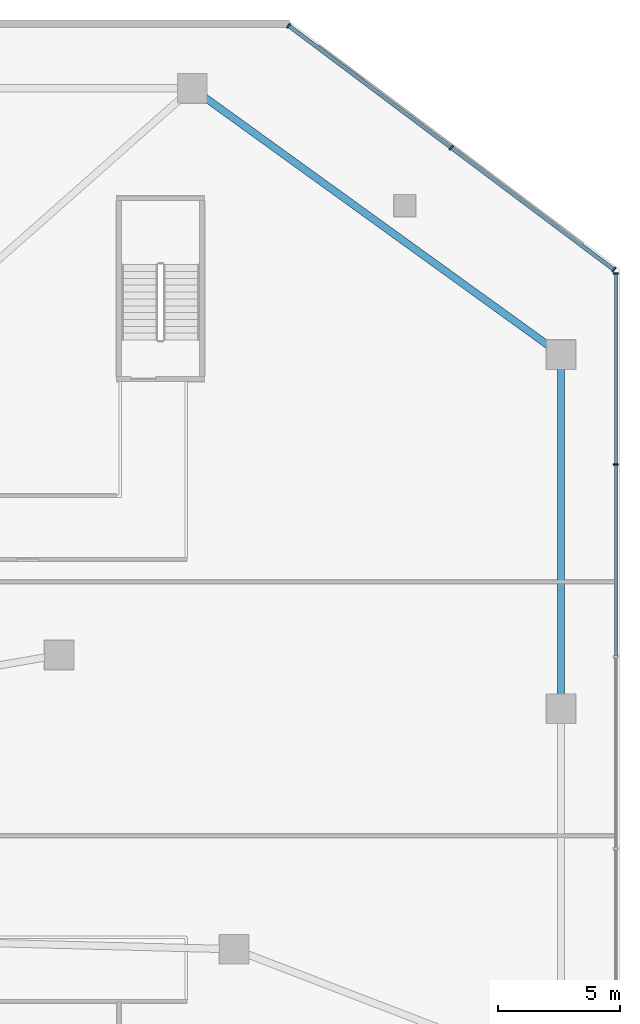
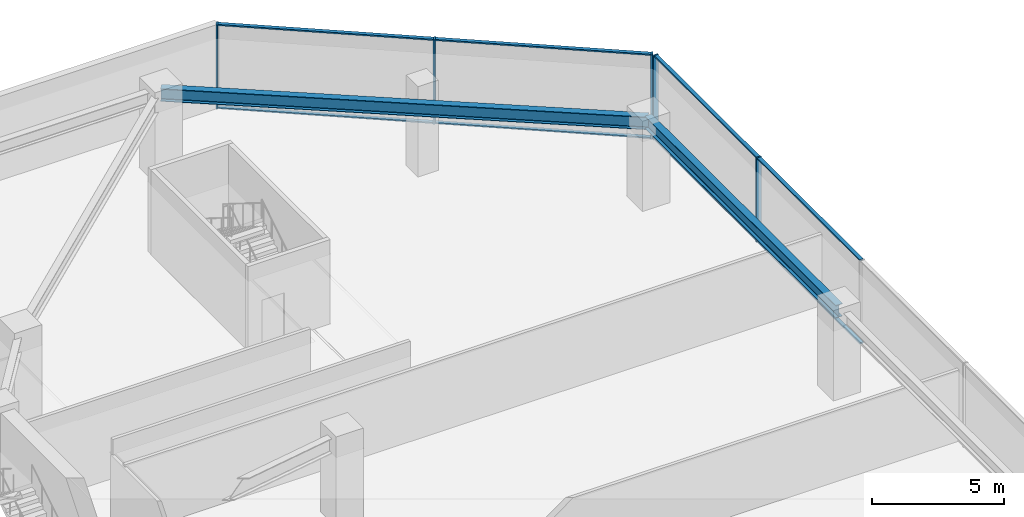
# One storey, part 9 of 22: 13 members, 2 beams, 2 elements without a shape of their own.
"""IFC4 building model written with IfcOpenShell, lengths in metres."""

import ifcopenshell
import ifcopenshell.guid

model = None  # the IFC model being written
_history = None  # IfcOwnerHistory: only IFC2X3 demands one
_inside = {}  # id of a spatial element -> (the spatial element, [elements in it])
_under = {}  # id of a project, library or spatial element -> (it, [spatial elements below it])
_declared = {}  # id of a project -> (the project, [libraries it declares])
_typed = {}  # id of a type object -> (the type object, [elements of that type])
_made_of = {}  # id of a material, layer set ... -> (it, [elements and type objects made of it])


def new_model(schema):
    """Start an empty IFC model of exactly this schema.

    Asked for "IFC4X3", IfcOpenShell would pick the latest addendum, in which some entities
    have other attributes; the version numbers below select the first issue.
    IFC2X3 requires an IfcOwnerHistory on every rooted entity: one is made here for all.
    """
    global model, _history
    if schema == "IFC4X3":
        model = ifcopenshell.file(schema_version=(4, 3, 0, 0))
    else:
        model = ifcopenshell.file(schema=schema)
    _inside.clear()
    _under.clear()
    _declared.clear()
    _typed.clear()
    _made_of.clear()
    _history = None
    if model.schema == "IFC2X3":
        org = make("IfcOrganization", Name="unknown")
        user = make(
            "IfcPersonAndOrganization",
            ThePerson=make("IfcPerson", FamilyName="unknown"),
            TheOrganization=org,
        )
        app = make(
            "IfcApplication",
            ApplicationDeveloper=org,
            Version="unknown",
            ApplicationFullName="unknown",
            ApplicationIdentifier="unknown",
        )
        _history = make(
            "IfcOwnerHistory",
            OwningUser=user,
            OwningApplication=app,
            ChangeAction="ADDED",
            CreationDate=0,
        )
    return model


def make(cls, **values):
    """One entity of the class cls with the attributes given. An attribute that is None is left unset."""
    return model.create_entity(
        cls, **{name: value for name, value in values.items() if value is not None}
    )


def rooted(cls, **values):
    """An entity with a GlobalId (a new one), such as an element, a storey or a relation."""
    return make(cls, GlobalId=ifcopenshell.guid.new(), OwnerHistory=_history, **values)


def si_unit(unit_type, name, prefix=None):
    """IfcSIUnit, for example si_unit("LENGTHUNIT", "METRE", prefix="MILLI")."""
    return make("IfcSIUnit", UnitType=unit_type, Prefix=prefix, Name=name)


def assignment(units):
    """IfcUnitAssignment: the units of a project."""
    return None if units is None else make("IfcUnitAssignment", Units=units)


def point(xyz):
    """IfcCartesianPoint."""
    return None if xyz is None else make("IfcCartesianPoint", Coordinates=xyz)


def direction(xyz):
    """IfcDirection."""
    return None if xyz is None else make("IfcDirection", DirectionRatios=xyz)


def frame(location, z_axis=None, x_axis=None):
    """IfcAxis2Placement3D, a coordinate frame: its origin and axes. An axis left out is left unset."""
    return make(
        "IfcAxis2Placement3D",
        Location=point(location),
        Axis=direction(z_axis),
        RefDirection=direction(x_axis),
    )


def frame_2d(location, x_axis=None):
    """IfcAxis2Placement2D, a coordinate frame in the plane: its origin and x axis."""
    return make(
        "IfcAxis2Placement2D", Location=point(location), RefDirection=direction(x_axis)
    )


def origin():
    """The frame at (0, 0, 0) with its axes left unset."""
    return frame((0.0, 0.0, 0.0))


def origin_2d():
    """The frame at (0, 0) in the plane with its x axis left unset."""
    return frame_2d((0.0, 0.0))


def place(relative_to, where):
    """IfcLocalPlacement: puts the frame where relative to a parent placement (None: the world)."""
    return make(
        "IfcLocalPlacement", PlacementRelTo=relative_to, RelativePlacement=where
    )


def context(
    kind, dimensions, precision=None, world=None, true_north=None, identifier=None
):
    """IfcGeometricRepresentationContext, for example the 3D "Model" context."""
    return make(
        "IfcGeometricRepresentationContext",
        ContextIdentifier=identifier,
        ContextType=kind,
        CoordinateSpaceDimension=dimensions,
        Precision=precision,
        WorldCoordinateSystem=world,
        TrueNorth=true_north,
    )


def subcontext(parent, identifier, kind, view, scale=None):
    """IfcGeometricRepresentationSubContext, for example "Body" below "Model"."""
    return make(
        "IfcGeometricRepresentationSubContext",
        ContextIdentifier=identifier,
        ContextType=kind,
        ParentContext=parent,
        TargetScale=scale,
        TargetView=view,
    )


def project(units=None, contexts=None):
    """IfcProject with its units and contexts."""
    return rooted(
        "IfcProject",
        Name="project",
        RepresentationContexts=contexts,
        UnitsInContext=assignment(units),
    )


def spatial(cls, under=None, at=None, **own):
    """A site, building, storey or space (cls), placed at a placement, below another one or the project."""
    s = rooted(cls, ObjectPlacement=at, **own)
    if under is not None:
        _under.setdefault(under.id(), (under, []))[1].append(s)
    return s


def profile(cls, at=None, kind="AREA", **sizes):
    """A parametric profile (cls). Its sizes go by their IFC names, for example OverallWidth=200.0."""
    return make(cls, ProfileType=kind, Position=at, **sizes)


def rectangle(**sizes):
    """IfcRectangleProfileDef."""
    return profile("IfcRectangleProfileDef", **sizes)


def i_section(**sizes):
    """IfcIShapeProfileDef."""
    return profile("IfcIShapeProfileDef", **sizes)


def extrude(swept, where, along, depth):
    """IfcExtrudedAreaSolid: the profile swept, set in the frame where, extruded along a direction by depth."""
    return make(
        "IfcExtrudedAreaSolid",
        SweptArea=swept,
        Position=where,
        ExtrudedDirection=direction(along),
        Depth=depth,
    )


def shape(context_of_items, identifier, shape_type, items):
    """IfcShapeRepresentation: the items that make up one representation, for example the "Body"."""
    return make(
        "IfcShapeRepresentation",
        ContextOfItems=context_of_items,
        RepresentationIdentifier=identifier,
        RepresentationType=shape_type,
        Items=items,
    )


def material(Name=None, Category=None):
    """IfcMaterial."""
    return make("IfcMaterial", Name=Name, Category=Category)


def material_profile(
    of_material, cross_section, Name=None, Category=None, Priority=None
):
    """IfcMaterialProfile: a cross section and its material."""
    return make(
        "IfcMaterialProfile",
        Name=Name,
        Material=of_material,
        Profile=cross_section,
        Priority=Priority,
        Category=Category,
    )


def profile_set(profiles, Name=None, composite=None):
    """IfcMaterialProfileSet."""
    return make(
        "IfcMaterialProfileSet",
        Name=Name,
        MaterialProfiles=profiles,
        CompositeProfile=composite,
    )


def made_of(thing, what):
    """Note that an element or type object is made of a material, layer set ...; save() writes the relation."""
    if what is not None:
        _made_of.setdefault(what.id(), (what, []))[1].append(thing)
    return thing


def type_object(cls, material=None, **own):
    """A type object (cls), such as IfcWallType, which elements share."""
    return made_of(rooted(cls, **own), material)


def element(
    cls,
    number,
    at=None,
    inside=None,
    cuts=None,
    type_object=None,
    material=None,
    context=None,
    identifier="Body",
    shape_type=None,
    held_by="IfcProductDefinitionShape",
    body=None,
    shapes=None,
    **own,
):
    """One element of the class cls, such as IfcWall. Its Tag is "e" and its number.

    at: its placement. inside: the storey or other place that contains it. cuts: it is an
    opening in that element (IfcRelVoidsElement). A single representation is given by context,
    identifier, shape_type and body (its items); several are given by shapes. held_by: the class
    of the entity that holds the representations. save() writes the other relations.
    """
    e = rooted(cls, Tag="e%d" % number, ObjectPlacement=at, **own)
    if body is not None:
        shapes = [shape(context, identifier, shape_type, body)]
    if shapes is not None:
        e.Representation = make(held_by, Representations=shapes)
    if inside is not None:
        _inside.setdefault(inside.id(), (inside, []))[1].append(e)
    if cuts is not None:
        rooted(
            "IfcRelVoidsElement", RelatingBuildingElement=cuts, RelatedOpeningElement=e
        )
    if type_object is not None:
        _typed.setdefault(type_object.id(), (type_object, []))[1].append(e)
    return made_of(e, material)


def aggregate(whole, parts):
    """IfcRelAggregates: a whole, such as a stair, and the parts it consists of."""
    return rooted("IfcRelAggregates", RelatingObject=whole, RelatedObjects=parts)


def save(model, path):
    """Write the relations noted so far, then the file.

    IfcRelAggregates (storeys below a building ...), IfcRelContainedInSpatialStructure (elements
    in a storey), IfcRelDefinesByType, IfcRelAssociatesMaterial and IfcRelDeclares: one each for
    every whole, place, type object, material and project.
    """
    for whole, parts in _under.values():
        aggregate(whole, parts)
    for where, things in _inside.values():
        rooted(
            "IfcRelContainedInSpatialStructure",
            RelatedElements=things,
            RelatingStructure=where,
        )
    for kind, things in _typed.values():
        rooted("IfcRelDefinesByType", RelatedObjects=things, RelatingType=kind)
    for what, things in _made_of.values():
        rooted("IfcRelAssociatesMaterial", RelatedObjects=things, RelatingMaterial=what)
    for by, libraries in _declared.values():
        rooted("IfcRelDeclares", RelatingContext=by, RelatedDefinitions=libraries)
    model.write(path)


model = new_model("IFC4")

# Units and contexts
model_context = context("Model", 3, precision=1e-05, world=origin(), true_north=direction((0.0, 1.0)))
body_context = subcontext(model_context, "Body", "Model", "MODEL_VIEW")
ifc_project = project(units=[si_unit("LENGTHUNIT", "METRE"), si_unit("AREAUNIT", "SQUARE_METRE"), si_unit("VOLUMEUNIT", "CUBIC_METRE"), si_unit("PLANEANGLEUNIT", "RADIAN"), si_unit("MASSUNIT", "GRAM", prefix="KILO")], contexts=[model_context])

# Site, building, storey
site_placement = place(None, origin())
site = spatial("IfcSite", under=ifc_project, at=site_placement, CompositionType="ELEMENT")
building_placement = place(site_placement, origin())
building = spatial("IfcBuilding", under=site, at=building_placement, Name="Savorim Split Tower", CompositionType="ELEMENT")
storey_placement = place(building_placement, frame((0.0, 0.0, 13.39990234375)))
storey = spatial("IfcBuildingStorey", under=building, at=storey_placement, Name="L03", CompositionType="ELEMENT", Elevation=13.39990234375)

# Beams
ifc_material_1 = material(Name="Steel S355", Category="steel")
ifc_material_profile_1 = material_profile(ifc_material_1, i_section(OverallWidth=0.300048828125, OverallDepth=0.590087890625, WebThickness=0.012939453125, FlangeThickness=0.02490234375, FilletRadius=0.027099609375, at=origin_2d()), Name="HEA 600")
ifc_profile_set_1 = profile_set([ifc_material_profile_1], Name="Steel S355")
beam_type = type_object("IfcBeamType", Name="BM-SPN-HEA600", PredefinedType="SPANDREL", material=ifc_profile_set_1)
beam_1_placement = place(storey_placement, frame((38.60009765625, 0.0, 3.625), z_axis=(0.0, 1.0, 0.0), x_axis=(-1.0, 0.0, 0.0)))
element("IfcBeam", 1, at=beam_1_placement, inside=storey, type_object=beam_type, Name="L03 Podium Spandrel Beam 4", PredefinedType="SPANDREL", context=body_context, shape_type="SweptSolid", body=[
    extrude(i_section(OverallWidth=0.300048828125, OverallDepth=0.590087890625, WebThickness=0.012939453125, FlangeThickness=0.02490234375, FilletRadius=0.027099609375, at=origin_2d()), origin(), (0.0, 0.0, 1.0), 14.5),
])
beam_2_placement = place(storey_placement, frame((38.60009765625, 14.5, 3.625), z_axis=(-0.810825083438, 0.585288547699, 0.0), x_axis=(-0.585288547699, -0.810825083438, 0.0)))
element("IfcBeam", 2, at=beam_2_placement, inside=storey, type_object=beam_type, Name="L03 Podium Spandrel Beam 5", PredefinedType="SPANDREL", context=body_context, shape_type="SweptSolid", body=[
    extrude(i_section(OverallWidth=0.300048828125, OverallDepth=0.590087890625, WebThickness=0.012939453125, FlangeThickness=0.02490234375, FilletRadius=0.027099609375, at=origin_2d()), origin(), (0.0, 0.0, 1.0), 18.623046875),
])

# Curtain wall, members
ifc_material_2 = material(Name="Dark Ceramic-Fritted Insulated Glass", Category="glass")
curtain_wall_type = type_object("IfcCurtainWallType", Name="CW-POD-GLZ", PredefinedType="NOTDEFINED", material=ifc_material_2)
curtain_wall_1_placement = place(storey_placement, origin())
curtain_wall_1 = element("IfcCurtainWall", 3, at=curtain_wall_1_placement, inside=storey, type_object=curtain_wall_type, Name="L03 Curtain Wall CW-L03-E06", PredefinedType="NOTDEFINED")
ifc_material_3 = material(Name="Charcoal Anodised Aluminium", Category="aluminium")
ifc_material_profile_2 = material_profile(ifc_material_3, rectangle(XDim=0.219970703125, YDim=0.070068359375, at=origin_2d()), Name="ALU-M 220x70")
ifc_profile_set_2 = profile_set([ifc_material_profile_2], Name="Charcoal Anodised Aluminium")
member_type_1 = type_object("IfcMemberType", Name="CWM-220x70", PredefinedType="MULLION", material=ifc_profile_set_2)
member_1_placement = place(storey_placement, frame((40.840087890625, 9.99609375, 0.0), z_axis=(0.0, 0.0, 1.0), x_axis=(-1.0, 0.0, 0.0)))
member_1 = element("IfcMember", 4, at=member_1_placement, type_object=member_type_1, Name="CW-01 mullion 5", PredefinedType="MULLION", context=body_context, shape_type="SweptSolid", body=[
    extrude(rectangle(XDim=0.219970703125, YDim=0.070068359375, at=origin_2d()), origin(), (0.0, 0.0, 1.0), 3.920166015625),
])
member_2_placement = place(storey_placement, frame((40.840087890625, 17.824951171875, 0.0), z_axis=(0.0, 0.0, 1.0), x_axis=(-1.0, 0.0, 0.0)))
member_2 = element("IfcMember", 5, at=member_2_placement, type_object=member_type_1, Name="CW-01 mullion 6", PredefinedType="MULLION", context=body_context, shape_type="SweptSolid", body=[
    extrude(rectangle(XDim=0.219970703125, YDim=0.070068359375, at=origin_2d()), origin(), (0.0, 0.0, 1.0), 3.920166015625),
])

curtain_wall_2_placement = place(storey_placement, origin())
curtain_wall_2 = element("IfcCurtainWall", 6, at=curtain_wall_2_placement, inside=storey, type_object=curtain_wall_type, Name="L03 Curtain Wall CW-L03-E07", PredefinedType="NOTDEFINED")
member_3_placement = place(storey_placement, frame((40.763916015625, 17.97705078125, 0.0), z_axis=(0.0, 0.0, 1.0), x_axis=(-0.600000000002, -0.799999999998, 0.0)))
member_3 = element("IfcMember", 7, at=member_3_placement, type_object=member_type_1, Name="CW-01 mullion 1", PredefinedType="MULLION", context=body_context, shape_type="SweptSolid", body=[
    extrude(rectangle(XDim=0.219970703125, YDim=0.070068359375, at=origin_2d()), origin(), (0.0, 0.0, 1.0), 3.920166015625),
])
member_4_placement = place(storey_placement, frame((34.10400390625, 22.971923828125, 0.0), z_axis=(0.0, 0.0, 1.0), x_axis=(-0.600000000002, -0.799999999998, 0.0)))
member_4 = element("IfcMember", 8, at=member_4_placement, type_object=member_type_1, Name="CW-01 mullion 2", PredefinedType="MULLION", context=body_context, shape_type="SweptSolid", body=[
    extrude(rectangle(XDim=0.219970703125, YDim=0.070068359375, at=origin_2d()), origin(), (0.0, 0.0, 1.0), 3.920166015625),
])
member_5_placement = place(storey_placement, frame((27.444091796875, 27.967041015625, 0.0), z_axis=(0.0, 0.0, 1.0), x_axis=(-0.600000000002, -0.799999999998, 0.0)))
member_5 = element("IfcMember", 9, at=member_5_placement, type_object=member_type_1, Name="CW-01 mullion 3", PredefinedType="MULLION", context=body_context, shape_type="SweptSolid", body=[
    extrude(rectangle(XDim=0.219970703125, YDim=0.070068359375, at=origin_2d()), origin(), (0.0, 0.0, 1.0), 3.920166015625),
])

# Member
ifc_material_profile_3 = material_profile(ifc_material_3, rectangle(XDim=0.159912109375, YDim=0.06005859375, at=origin_2d()), Name="ALU-T 160x60")
ifc_profile_set_3 = profile_set([ifc_material_profile_3], Name="Charcoal Anodised Aluminium")
member_type_2 = type_object("IfcMemberType", Name="CWT-160x60", PredefinedType="USERDEFINED", material=ifc_profile_set_3)
member_6_placement = place(storey_placement, frame((40.840087890625, 2.1669921875, 0.030029296875), z_axis=(0.0, 1.0, 0.0), x_axis=(-1.0, 0.0, 0.0)))
member_6 = element("IfcMember", 10, at=member_6_placement, type_object=member_type_2, Name="CW-01 transom 4.1", ObjectType="TRANSOM", PredefinedType="USERDEFINED", context=body_context, shape_type="SweptSolid", body=[
    extrude(rectangle(XDim=0.159912109375, YDim=0.06005859375, at=origin_2d()), origin(), (0.0, 0.0, 1.0), 7.7939453125),
])

member_7_placement = place(storey_placement, frame((40.840087890625, 2.1669921875, 3.89013671875), z_axis=(0.0, 1.0, 0.0), x_axis=(-1.0, 0.0, 0.0)))
member_7 = element("IfcMember", 11, at=member_7_placement, type_object=member_type_2, Name="CW-01 transom 4.2", ObjectType="TRANSOM", PredefinedType="USERDEFINED", context=body_context, shape_type="SweptSolid", body=[
    extrude(rectangle(XDim=0.159912109375, YDim=0.06005859375, at=origin_2d()), origin(), (0.0, 0.0, 1.0), 7.7939453125),
])

member_8_placement = place(storey_placement, frame((40.840087890625, 10.031005859375, 0.030029296875), z_axis=(0.0, 1.0, 0.0), x_axis=(-1.0, 0.0, 0.0)))
member_8 = element("IfcMember", 12, at=member_8_placement, type_object=member_type_2, Name="CW-01 transom 5.1", ObjectType="TRANSOM", PredefinedType="USERDEFINED", context=body_context, shape_type="SweptSolid", body=[
    extrude(rectangle(XDim=0.159912109375, YDim=0.06005859375, at=origin_2d()), origin(), (0.0, 0.0, 1.0), 7.759033203125),
])

member_9_placement = place(storey_placement, frame((40.840087890625, 10.031005859375, 3.89013671875), z_axis=(0.0, 1.0, 0.0), x_axis=(-1.0, 0.0, 0.0)))
member_9 = element("IfcMember", 13, at=member_9_placement, type_object=member_type_2, Name="CW-01 transom 5.2", ObjectType="TRANSOM", PredefinedType="USERDEFINED", context=body_context, shape_type="SweptSolid", body=[
    extrude(rectangle(XDim=0.159912109375, YDim=0.06005859375, at=origin_2d()), origin(), (0.0, 0.0, 1.0), 7.759033203125),
])

aggregate(curtain_wall_1, [member_1, member_2, member_6, member_7, member_8, member_9])

member_10_placement = place(storey_placement, frame((40.736083984375, 17.998046875, 0.030029296875), z_axis=(-0.800007097974, 0.599990535918, 0.0), x_axis=(-0.599990535918, -0.800007097974, 0.0)))
member_10 = element("IfcMember", 14, at=member_10_placement, type_object=member_type_2, Name="CW-01 transom 1.1", ObjectType="TRANSOM", PredefinedType="USERDEFINED", context=body_context, shape_type="SweptSolid", body=[
    extrude(rectangle(XDim=0.159912109375, YDim=0.06005859375, at=origin_2d()), origin(), (0.0, 0.0, 1.0), 8.2548828125),
])

member_11_placement = place(storey_placement, frame((40.736083984375, 17.998046875, 3.89013671875), z_axis=(-0.800007097974, 0.599990535918, 0.0), x_axis=(-0.599990535918, -0.800007097974, 0.0)))
member_11 = element("IfcMember", 15, at=member_11_placement, type_object=member_type_2, Name="CW-01 transom 1.2", ObjectType="TRANSOM", PredefinedType="USERDEFINED", context=body_context, shape_type="SweptSolid", body=[
    extrude(rectangle(XDim=0.159912109375, YDim=0.06005859375, at=origin_2d()), origin(), (0.0, 0.0, 1.0), 8.2548828125),
])

member_12_placement = place(storey_placement, frame((34.075927734375, 22.992919921875, 0.030029296875), z_axis=(-0.79999290204, 0.60000946383, 0.0), x_axis=(-0.60000946383, -0.79999290204, 0.0)))
member_12 = element("IfcMember", 16, at=member_12_placement, type_object=member_type_2, Name="CW-01 transom 2.1", ObjectType="TRANSOM", PredefinedType="USERDEFINED", context=body_context, shape_type="SweptSolid", body=[
    extrude(rectangle(XDim=0.159912109375, YDim=0.06005859375, at=origin_2d()), origin(), (0.0, 0.0, 1.0), 8.255126953125),
])

member_13_placement = place(storey_placement, frame((34.075927734375, 22.992919921875, 3.89013671875), z_axis=(-0.79999290204, 0.60000946383, 0.0), x_axis=(-0.60000946383, -0.79999290204, 0.0)))
member_13 = element("IfcMember", 17, at=member_13_placement, type_object=member_type_2, Name="CW-01 transom 2.2", ObjectType="TRANSOM", PredefinedType="USERDEFINED", context=body_context, shape_type="SweptSolid", body=[
    extrude(rectangle(XDim=0.159912109375, YDim=0.06005859375, at=origin_2d()), origin(), (0.0, 0.0, 1.0), 8.255126953125),
])

aggregate(curtain_wall_2, [member_3, member_4, member_5, member_10, member_11, member_12, member_13])

save(model, "model.ifc")
